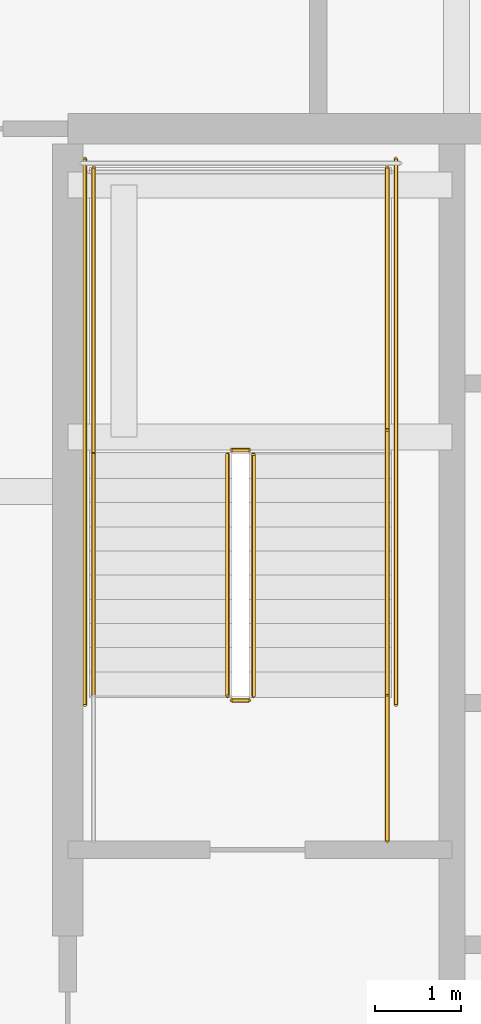
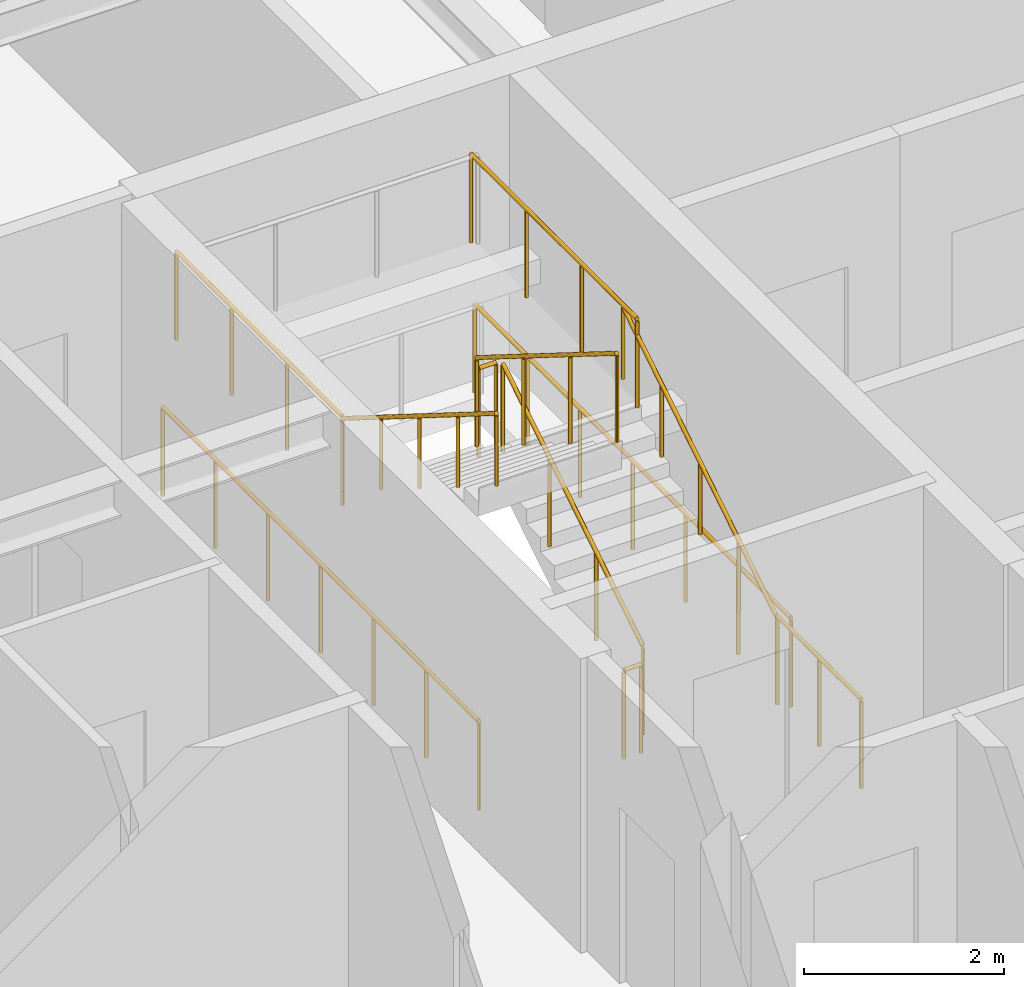
# One storey, part 34 of 37: 11 railings.
"""IFC4 building model written with IfcOpenShell, lengths in metres."""

from ifc_helpers import new_model, si_unit, direction, frame, origin, origin_2d, place, context, subcontext, project, spatial, circle, extrude, material, type_object, element, save


model = new_model("IFC4")

# Units and contexts
model_context = context("Model", 3, precision=1e-05, world=origin(), true_north=direction((0.0, 1.0)))
body_context = subcontext(model_context, "Body", "Model", "MODEL_VIEW")
ifc_project = project(units=[si_unit("LENGTHUNIT", "METRE"), si_unit("AREAUNIT", "SQUARE_METRE"), si_unit("VOLUMEUNIT", "CUBIC_METRE"), si_unit("PLANEANGLEUNIT", "RADIAN"), si_unit("MASSUNIT", "GRAM", prefix="KILO")], contexts=[model_context])

# Site, building, storey
site_placement = place(None, origin())
site = spatial("IfcSite", under=ifc_project, at=site_placement, CompositionType="ELEMENT")
building_placement = place(site_placement, origin())
building = spatial("IfcBuilding", under=site, at=building_placement, Name="Serunith Strait Residences", CompositionType="ELEMENT")
storey_placement = place(building_placement, frame((0.0, 0.0, 248.949951171875)))
storey = spatial("IfcBuildingStorey", under=building, at=storey_placement, Name="L62", CompositionType="ELEMENT", Elevation=248.949951171875)

# Railings
ifc_material = material(Name="Brushed stainless steel 316L", Category="steel")
railing_type_1 = type_object("IfcRailingType", Name="RLG-STAIR-GUARD", PredefinedType="BALUSTRADE", material=ifc_material)
railing_1_placement = place(storey_placement, frame((25.550048828125, 27.030029296875, 0.175048828125)))
element("IfcRailing", 1, at=railing_1_placement, inside=storey, type_object=railing_type_1, Name="L62 ST-1 stair guard 1", PredefinedType="BALUSTRADE", context=body_context, shape_type="SweptSolid", body=[
    extrude(circle(Radius=0.02392578125, at=origin_2d()), frame((0.0, 0.001708984375, 1.0771484375), z_axis=(0.0, 0.848002457836, 0.529992293815), x_axis=(-1.0, 0.0, 0.0)), (0.0, 0.0, 1.0), 3.2978515625),
    extrude(circle(Radius=0.02099609375, at=origin_2d()), origin(), (0.0, 0.0, 1.0), 1.050048828125),
    extrude(circle(Radius=0.02099609375, at=origin_2d()), frame((0.0, 0.933349609375, 0.583251953125)), (0.0, 0.0, 1.0), 1.050048828125),
    extrude(circle(Radius=0.02099609375, at=origin_2d()), frame((0.0, 1.86669921875, 1.166748046875)), (0.0, 0.0, 1.0), 1.050048828125),
    extrude(circle(Radius=0.02099609375, at=origin_2d()), frame((0.0, 2.800048828125, 1.75)), (0.0, 0.0, 1.0), 1.050048828125),
])
railing_2_placement = place(storey_placement, frame((25.5, 29.8798828125, 1.925048828125)))
element("IfcRailing", 2, at=railing_2_placement, inside=storey, type_object=railing_type_1, Name="L62 ST-1 stair guard 2", PredefinedType="BALUSTRADE", context=body_context, shape_type="SweptSolid", body=[
    extrude(circle(Radius=0.02392578125, at=origin_2d()), frame((-0.001953125, 0.0, 1.076171875), z_axis=(-1.0, 0.0, 0.0), x_axis=(0.0, -1.0, 0.0)), (0.0, 0.0, 1.0), 0.196044921875),
    extrude(circle(Radius=0.02099609375, at=origin_2d()), origin(), (0.0, 0.0, 1.0), 1.050048828125),
    extrude(circle(Radius=0.02099609375, at=origin_2d()), frame((-0.199951171875, 0.0, 0.0)), (0.0, 0.0, 1.0), 1.050048828125),
])
for number, where, name in (
    (3, (27.10009765625, 29.830078125, 1.925048828125), "L62 ST-1 stair guard 3"),
    (4, (23.699951171875, 29.830078125, 1.925048828125), "L62 ST-1 stair guard 4"),
):
    element("IfcRailing", number, at=place(storey_placement, frame(where)), inside=storey, type_object=railing_type_1, Name=name, PredefinedType="BALUSTRADE", context=body_context, shape_type="SweptSolid", body=[
        extrude(circle(Radius=0.02392578125, at=origin_2d()), frame((0.0, 0.001953125, 1.076171875), z_axis=(0.0, 1.0, 0.0), x_axis=(-1.0, 0.0, 0.0)), (0.0, 0.0, 1.0), 3.31591796875),
        extrude(circle(Radius=0.02099609375, at=origin_2d()), origin(), (0.0, 0.0, 1.0), 1.050048828125),
        extrude(circle(Radius=0.02099609375, at=origin_2d()), frame((0.0, 1.106689453125, 0.0)), (0.0, 0.0, 1.0), 1.050048828125),
        extrude(circle(Radius=0.02099609375, at=origin_2d()), frame((0.0, 2.213134765625, 0.0)), (0.0, 0.0, 1.0), 1.050048828125),
        extrude(circle(Radius=0.02099609375, at=origin_2d()), frame((0.0, 3.31982421875, 0.0)), (0.0, 0.0, 1.0), 1.050048828125),
    ])
railing_3_placement = place(storey_placement, frame((25.25, 29.830078125, 2.10009765625)))
element("IfcRailing", 5, at=railing_3_placement, inside=storey, type_object=railing_type_1, Name="L62 ST-1 stair guard 6", PredefinedType="BALUSTRADE", context=body_context, shape_type="SweptSolid", body=[
    extrude(circle(Radius=0.02392578125, at=origin_2d()), frame((0.0, -0.001708984375, 1.0771484375), z_axis=(0.0, -0.848002457836, 0.529992293815), x_axis=(1.0, 0.0, 0.0)), (0.0, 0.0, 1.0), 3.2978515625),
    extrude(circle(Radius=0.02099609375, at=origin_2d()), origin(), (0.0, 0.0, 1.0), 1.050048828125),
    extrude(circle(Radius=0.02099609375, at=origin_2d()), frame((0.0, -0.933349609375, 0.583251953125)), (0.0, 0.0, 1.0), 1.050048828125),
    extrude(circle(Radius=0.02099609375, at=origin_2d()), frame((0.0, -1.86669921875, 1.166748046875)), (0.0, 0.0, 1.0), 1.050048828125),
    extrude(circle(Radius=0.02099609375, at=origin_2d()), frame((0.0, -2.800048828125, 1.75)), (0.0, 0.0, 1.0), 1.050048828125),
])
railing_4_placement = place(storey_placement, frame((25.5, 26.97998046875, 0.0)))
element("IfcRailing", 6, at=railing_4_placement, inside=storey, type_object=railing_type_1, Name="L62 ST-1 stair guard 7", PredefinedType="BALUSTRADE", context=body_context, shape_type="SweptSolid", body=[
    extrude(circle(Radius=0.02392578125, at=origin_2d()), frame((-0.001953125, 0.0, 1.076171875), z_axis=(-1.0, 0.0, 0.0), x_axis=(0.0, -1.0, 0.0)), (0.0, 0.0, 1.0), 0.196044921875),
    extrude(circle(Radius=0.02099609375, at=origin_2d()), origin(), (0.0, 0.0, 1.0), 1.050048828125),
    extrude(circle(Radius=0.02099609375, at=origin_2d()), frame((-0.199951171875, 0.0, 0.0)), (0.0, 0.0, 1.0), 1.050048828125),
])
railing_5_placement = place(storey_placement, frame((27.10009765625, 25.35009765625, 0.0)))
element("IfcRailing", 7, at=railing_5_placement, inside=storey, type_object=railing_type_1, Name="L62 ST-1 stair guard 8", PredefinedType="BALUSTRADE", context=body_context, shape_type="SweptSolid", body=[
    extrude(circle(Radius=0.02392578125, at=origin_2d()), frame((0.0, 0.001953125, 1.076171875), z_axis=(0.0, 1.0, 0.0), x_axis=(-1.0, 0.0, 0.0)), (0.0, 0.0, 1.0), 1.676025390625),
    extrude(circle(Radius=0.02099609375, at=origin_2d()), origin(), (0.0, 0.0, 1.0), 1.050048828125),
    extrude(circle(Radius=0.02099609375, at=origin_2d()), frame((0.0, 0.83984375, 0.0)), (0.0, 0.0, 1.0), 1.050048828125),
    extrude(circle(Radius=0.02099609375, at=origin_2d()), frame((0.0, 1.679931640625, 0.0)), (0.0, 0.0, 1.0), 1.050048828125),
])
for number, where, name in (
    (8, (27.199951171875, 26.929931640625, 0.0), "L62 ST-1 stair guard 10"),
    (9, (23.60009765625, 26.929931640625, 0.0), "L62 ST-1 stair guard 11"),
):
    element("IfcRailing", number, at=place(storey_placement, frame(where)), inside=storey, type_object=railing_type_1, Name=name, PredefinedType="BALUSTRADE", context=body_context, shape_type="SweptSolid", body=[
        extrude(circle(Radius=0.02392578125, at=origin_2d()), frame((0.0, 0.001953125, 1.076171875), z_axis=(0.0, 1.0, 0.0), x_axis=(-1.0, 0.0, 0.0)), (0.0, 0.0, 1.0), 6.316162109375),
        extrude(circle(Radius=0.02099609375, at=origin_2d()), origin(), (0.0, 0.0, 1.0), 1.050048828125),
        extrude(circle(Radius=0.02099609375, at=origin_2d()), frame((0.0, 1.05322265625, 0.0)), (0.0, 0.0, 1.0), 1.050048828125),
        extrude(circle(Radius=0.02099609375, at=origin_2d()), frame((0.0, 2.106689453125, 0.0)), (0.0, 0.0, 1.0), 1.050048828125),
        extrude(circle(Radius=0.02099609375, at=origin_2d()), frame((0.0, 3.16015625, 0.0)), (0.0, 0.0, 1.0), 1.050048828125),
        extrude(circle(Radius=0.02099609375, at=origin_2d()), frame((0.0, 4.21337890625, 0.0)), (0.0, 0.0, 1.0), 1.050048828125),
        extrude(circle(Radius=0.02099609375, at=origin_2d()), frame((0.0, 5.2666015625, 0.0)), (0.0, 0.0, 1.0), 1.050048828125),
        extrude(circle(Radius=0.02099609375, at=origin_2d()), frame((0.0, 6.320068359375, 0.0)), (0.0, 0.0, 1.0), 1.050048828125),
    ])
railing_type_2 = type_object("IfcRailingType", Name="RLG-STAIR-HR", PredefinedType="HANDRAIL", material=ifc_material)
railing_6_placement = place(storey_placement, frame((27.10009765625, 27.030029296875, 0.175048828125)))
element("IfcRailing", 10, at=railing_6_placement, inside=storey, type_object=railing_type_2, Name="L62 ST-1 stair handrail 1", PredefinedType="HANDRAIL", context=body_context, shape_type="SweptSolid", body=[
    extrude(circle(Radius=0.02392578125, at=origin_2d()), frame((0.0, 0.001708984375, 0.876953125), z_axis=(0.0, 0.847393994688, 0.530964610654), x_axis=(-1.0, 0.0, 0.0)), (0.0, 0.0, 1.0), 3.630859375),
    extrude(circle(Radius=0.02099609375, at=origin_2d()), origin(), (0.0, 0.0, 1.0), 0.849853515625),
    extrude(circle(Radius=0.02099609375, at=origin_2d()), frame((0.0, 0.77001953125, 0.482421875)), (0.0, 0.0, 1.0), 0.849853515625),
    extrude(circle(Radius=0.02099609375, at=origin_2d()), frame((0.0, 1.5400390625, 0.96484375)), (0.0, 0.0, 1.0), 0.849853515625),
    extrude(circle(Radius=0.02099609375, at=origin_2d()), frame((0.0, 2.31005859375, 1.447509765625)), (0.0, 0.0, 1.0), 0.849853515625),
    extrude(circle(Radius=0.02099609375, at=origin_2d()), frame((0.0, 3.080078125, 1.929931640625)), (0.0, 0.0, 1.0), 0.849853515625),
])
railing_7_placement = place(storey_placement, frame((23.699951171875, 29.830078125, 2.10009765625)))
element("IfcRailing", 11, at=railing_7_placement, inside=storey, type_object=railing_type_2, Name="L62 ST-1 stair handrail 2", PredefinedType="HANDRAIL", context=body_context, shape_type="SweptSolid", body=[
    extrude(circle(Radius=0.02392578125, at=origin_2d()), frame((0.0, -0.001708984375, 0.876953125), z_axis=(0.0, -0.847393994688, 0.530964610654), x_axis=(1.0, 0.0, 0.0)), (0.0, 0.0, 1.0), 3.630859375),
    extrude(circle(Radius=0.02099609375, at=origin_2d()), origin(), (0.0, 0.0, 1.0), 0.849853515625),
    extrude(circle(Radius=0.02099609375, at=origin_2d()), frame((0.0, -0.77001953125, 0.482421875)), (0.0, 0.0, 1.0), 0.849853515625),
    extrude(circle(Radius=0.02099609375, at=origin_2d()), frame((0.0, -1.5400390625, 0.96484375)), (0.0, 0.0, 1.0), 0.849853515625),
    extrude(circle(Radius=0.02099609375, at=origin_2d()), frame((0.0, -2.31005859375, 1.447509765625)), (0.0, 0.0, 1.0), 0.849853515625),
    extrude(circle(Radius=0.02099609375, at=origin_2d()), frame((0.0, -3.080078125, 1.929931640625)), (0.0, 0.0, 1.0), 0.849853515625),
])

save(model, "model.ifc")
